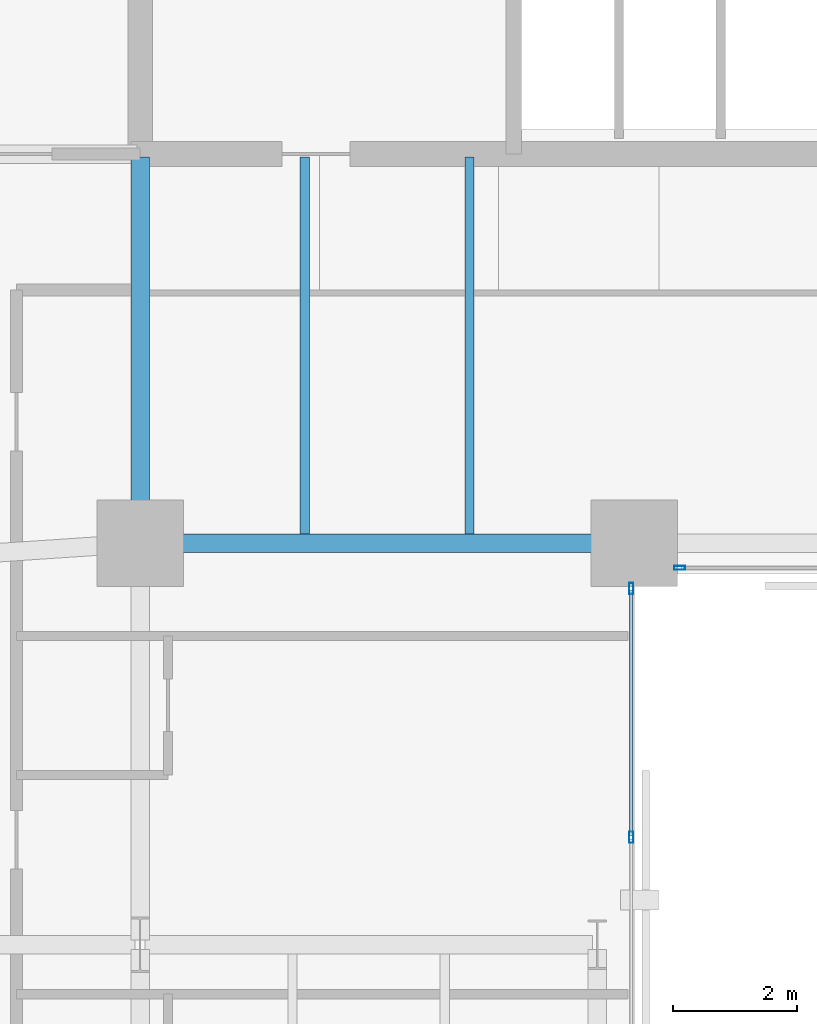
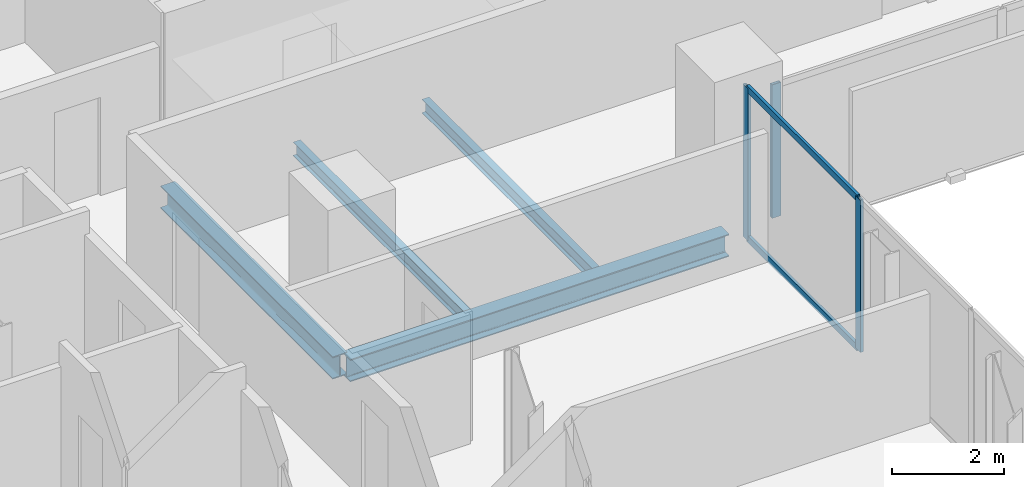
# One storey, part 13 of 33: 5 members, 4 beams, 2 elements without a shape of their own.
"""IFC4 building model written with IfcOpenShell, lengths in metres."""

from ifc_helpers import new_model, si_unit, direction, frame, origin, origin_2d, place, context, subcontext, project, spatial, hollow_rectangle, i_section, extrude, material, layer, layer_set, material_profile, profile_set, type_object, element, aggregate, save


model = new_model("IFC4")

# Units and contexts
model_context = context("Model", 3, precision=1e-05, world=origin(), true_north=direction((0.0, 1.0)))
body_context = subcontext(model_context, "Body", "Model", "MODEL_VIEW")
ifc_project = project(units=[si_unit("LENGTHUNIT", "METRE"), si_unit("AREAUNIT", "SQUARE_METRE"), si_unit("VOLUMEUNIT", "CUBIC_METRE"), si_unit("PLANEANGLEUNIT", "RADIAN"), si_unit("MASSUNIT", "GRAM", prefix="KILO")], contexts=[model_context])

# Site, building, storey
site_placement = place(None, origin())
site = spatial("IfcSite", under=ifc_project, at=site_placement, CompositionType="ELEMENT")
building_placement = place(site_placement, origin())
building = spatial("IfcBuilding", under=site, at=building_placement, Name="Catumbela Crestline Tower", CompositionType="ELEMENT")
storey_placement = place(building_placement, frame((0.0, 0.0, 72.6)))
storey = spatial("IfcBuildingStorey", under=building, at=storey_placement, Name="L18", CompositionType="ELEMENT", Elevation=72.6)

# Beams
ifc_material_1 = material(Name="Structural steel S355J2", Category="steel")
ifc_material_profile_1 = material_profile(ifc_material_1, i_section(OverallWidth=0.3, OverallDepth=0.49, WebThickness=0.012, FlangeThickness=0.023, FilletRadius=0.027, at=origin_2d()), Name="HEA 500")
ifc_profile_set_1 = profile_set([ifc_material_profile_1], Name="Structural steel S355J2")
beam_type_1 = type_object("IfcBeamType", Name="BG-HEA500", PredefinedType="BEAM", material=ifc_profile_set_1)
beam_1_placement = place(storey_placement, frame((16.08, 24.5, -0.505), z_axis=(1.0, 0.0, 0.0), x_axis=(0.0, 1.0, 0.0)))
element("IfcBeam", 1, at=beam_1_placement, inside=storey, type_object=beam_type_1, Name="L18 Beam BM-L18-S04", PredefinedType="BEAM", context=body_context, shape_type="SweptSolid", body=[
    extrude(i_section(OverallWidth=0.3, OverallDepth=0.49, WebThickness=0.012, FlangeThickness=0.023, FilletRadius=0.027, at=origin_2d()), origin(), (0.0, 0.0, 1.0), 7.84),
])
beam_2_placement = place(storey_placement, frame((16.0, 24.58, -0.505), z_axis=(0.0, 1.0, 0.0), x_axis=(-1.0, 0.0, 0.0)))
element("IfcBeam", 2, at=beam_2_placement, inside=storey, type_object=beam_type_1, Name="L18 Beam BM-L18-SNS31", PredefinedType="BEAM", context=body_context, shape_type="SweptSolid", body=[
    extrude(i_section(OverallWidth=0.3, OverallDepth=0.49, WebThickness=0.012, FlangeThickness=0.023, FilletRadius=0.027, at=origin_2d()), origin(), (0.0, 0.0, 1.0), 6.17),
])
ifc_material_profile_2 = material_profile(ifc_material_1, i_section(OverallWidth=0.15, OverallDepth=0.3, WebThickness=0.0071, FlangeThickness=0.0107, FilletRadius=0.015, at=origin_2d()), Name="IPE 300")
ifc_profile_set_2 = profile_set([ifc_material_profile_2], Name="Structural steel S355J2")
beam_type_2 = type_object("IfcBeamType", Name="BJ-IPE300", PredefinedType="JOIST", material=ifc_profile_set_2)
for number, where, z_axis, x_axis, name in (
    (3, (18.667, 24.647, -0.41), (0.0, 1.0, 0.0), (-1.0, 0.0, 0.0), "L18 Joist JS-L18-SP42"),
    (4, (21.333, 24.647, -0.41), (0.0, 1.0, 0.0), (-1.0, 0.0, 0.0), "L18 Joist JS-L18-SP43"),
):
    element("IfcBeam", number, at=place(storey_placement, frame(where, z_axis=z_axis, x_axis=x_axis)), inside=storey, type_object=beam_type_2, Name=name, PredefinedType="JOIST", context=body_context, shape_type="SweptSolid", body=[
        extrude(i_section(OverallWidth=0.15, OverallDepth=0.3, WebThickness=0.0071, FlangeThickness=0.0107, FilletRadius=0.015, at=origin_2d()), origin(), (0.0, 0.0, 1.0), 6.103),
    ])

# Curtain wall, members
ifc_material_2 = material(Name="Aluminium alloy AW-6060-T66", Category="aluminium")
ifc_layer = layer(ifc_material_2, 0.18, Name="Aluminium alloy AW-6060-T66")
ifc_layer_set = layer_set([ifc_layer], Name="Aluminium alloy AW-6060-T66")
curtain_wall_type = type_object("IfcCurtainWallType", Name="CWU-Z1", PredefinedType="USERDEFINED", material=ifc_layer_set)
curtain_wall_1_placement = place(storey_placement, origin())
curtain_wall_1 = element("IfcCurtainWall", 5, at=curtain_wall_1_placement, inside=storey, type_object=curtain_wall_type, Name="L18 Unitised Curtain Wall CW-L18-E2S1", ObjectType="UNITISED", PredefinedType="USERDEFINED")
ifc_material_profile_3 = material_profile(ifc_material_2, hollow_rectangle(XDim=0.065, YDim=0.18, WallThickness=0.004, at=origin_2d()), Name="ALU 180x65x4")
ifc_profile_set_3 = profile_set([ifc_material_profile_3], Name="Aluminium alloy AW-6060-T66")
member_type_1 = type_object("IfcMemberType", Name="MUL-180X65", PredefinedType="MULLION", material=ifc_profile_set_3)
member_1_placement = place(storey_placement, frame((23.95, 19.74, 0.0), z_axis=(0.0, 0.0, 1.0), x_axis=(-1.0, 0.0, 0.0)))
member_1 = element("IfcMember", 6, at=member_1_placement, type_object=member_type_1, Name="CWU-Z1 mullion 5", PredefinedType="MULLION", context=body_context, shape_type="SweptSolid", body=[
    extrude(hollow_rectangle(XDim=0.065, YDim=0.18, WallThickness=0.004, at=origin_2d()), origin(), (0.0, 0.0, 1.0), 3.33),
])
member_2_placement = place(storey_placement, frame((23.95, 23.7675, 0.0), z_axis=(0.0, 0.0, 1.0), x_axis=(-1.0, 0.0, 0.0)))
member_2 = element("IfcMember", 7, at=member_2_placement, type_object=member_type_1, Name="CWU-Z1 mullion 6", PredefinedType="MULLION", context=body_context, shape_type="SweptSolid", body=[
    extrude(hollow_rectangle(XDim=0.065, YDim=0.18, WallThickness=0.004, at=origin_2d()), origin(), (0.0, 0.0, 1.0), 3.33),
])

# Curtain wall, member
curtain_wall_2_placement = place(storey_placement, origin())
curtain_wall_2 = element("IfcCurtainWall", 8, at=curtain_wall_2_placement, inside=storey, type_object=curtain_wall_type, Name="L18 Unitised Curtain Wall CW-L18-E3S1", ObjectType="UNITISED", PredefinedType="USERDEFINED")
member_3_placement = place(storey_placement, frame((24.7325, 24.1, 0.0), z_axis=(0.0, 0.0, 1.0), x_axis=(0.0, 1.0, 0.0)))
member_3 = element("IfcMember", 9, at=member_3_placement, type_object=member_type_1, Name="CWU-Z1 mullion 1", PredefinedType="MULLION", context=body_context, shape_type="SweptSolid", body=[
    extrude(hollow_rectangle(XDim=0.065, YDim=0.18, WallThickness=0.004, at=origin_2d()), origin(), (0.0, 0.0, 1.0), 2.92),
])
aggregate(curtain_wall_2, [member_3])

# Member
ifc_material_profile_4 = material_profile(ifc_material_2, hollow_rectangle(XDim=0.06, YDim=0.14, WallThickness=0.004, at=origin_2d()), Name="ALU 140x60x4")
ifc_profile_set_4 = profile_set([ifc_material_profile_4], Name="Aluminium alloy AW-6060-T66")
member_type_2 = type_object("IfcMemberType", Name="TRN-140X60", PredefinedType="USERDEFINED", material=ifc_profile_set_4)
member_4_placement = place(storey_placement, frame((23.95, 19.7725, 0.03), z_axis=(0.0, 1.0, 0.0), x_axis=(-1.0, 0.0, 0.0)))
member_4 = element("IfcMember", 10, at=member_4_placement, type_object=member_type_2, Name="CWU-Z1 transom 5.1", ObjectType="TRANSOM", PredefinedType="USERDEFINED", context=body_context, shape_type="SweptSolid", body=[
    extrude(hollow_rectangle(XDim=0.06, YDim=0.14, WallThickness=0.004, at=origin_2d()), origin(), (0.0, 0.0, 1.0), 3.9625),
])

member_5_placement = place(storey_placement, frame((23.95, 19.7725, 3.3), z_axis=(0.0, 1.0, 0.0), x_axis=(-1.0, 0.0, 0.0)))
member_5 = element("IfcMember", 11, at=member_5_placement, type_object=member_type_2, Name="CWU-Z1 transom 5.2", ObjectType="TRANSOM", PredefinedType="USERDEFINED", context=body_context, shape_type="SweptSolid", body=[
    extrude(hollow_rectangle(XDim=0.06, YDim=0.14, WallThickness=0.004, at=origin_2d()), origin(), (0.0, 0.0, 1.0), 3.9625),
])

aggregate(curtain_wall_1, [member_1, member_2, member_4, member_5])

save(model, "model.ifc")
